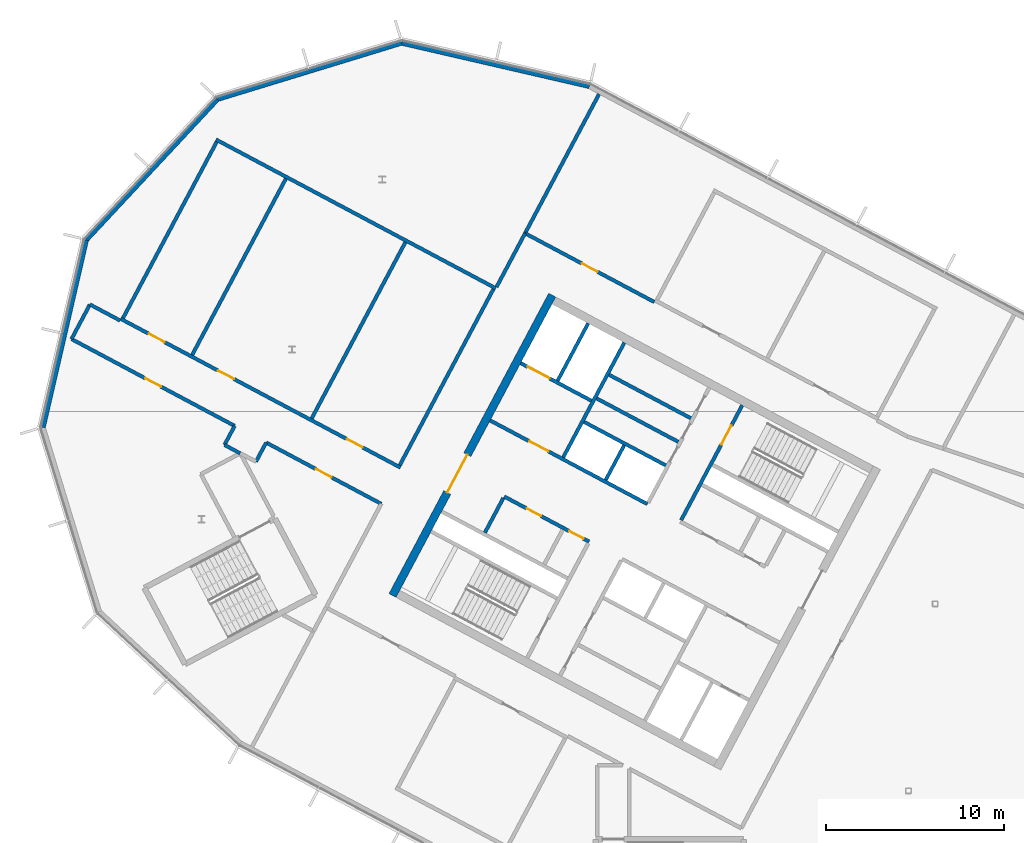
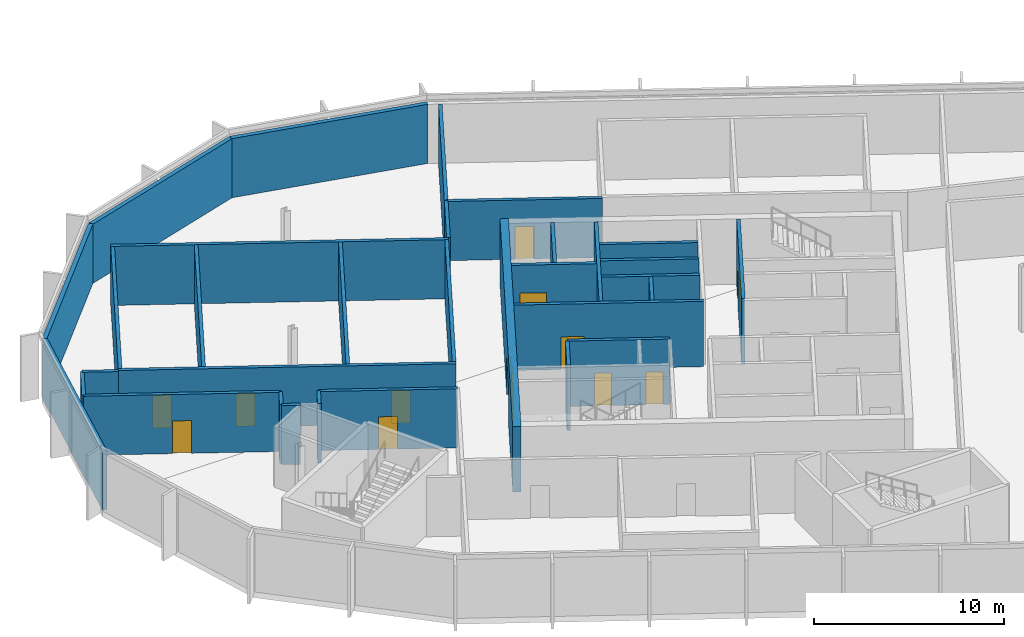
# One storey, part 6 of 16: 32 walls, 12 doors, 12 openings.
"""IFC4 building model written with IfcOpenShell, lengths in metres."""

from ifc_helpers import new_model, si_unit, direction, frame, frame_2d, origin, place, context, subcontext, project, spatial, rectangle, extrude, material, layer, layer_set, type_object, element, fill, save


model = new_model("IFC4")

# Units and contexts
model_context = context("Model", 3, precision=1e-05, world=origin(), true_north=direction((0.0, 1.0)))
body_context = subcontext(model_context, "Body", "Model", "MODEL_VIEW")
ifc_project = project(units=[si_unit("LENGTHUNIT", "METRE"), si_unit("AREAUNIT", "SQUARE_METRE"), si_unit("VOLUMEUNIT", "CUBIC_METRE"), si_unit("PLANEANGLEUNIT", "RADIAN"), si_unit("MASSUNIT", "GRAM", prefix="KILO")], contexts=[model_context])

# Site, building, storey
site_placement = place(None, origin())
site = spatial("IfcSite", under=ifc_project, at=site_placement, CompositionType="ELEMENT")
building_placement = place(site_placement, origin())
building = spatial("IfcBuilding", under=site, at=building_placement, Name="Cormorant Relay Tower", CompositionType="ELEMENT")
storey_placement = place(building_placement, frame((0.0, 0.0, 328.199951171875)))
storey = spatial("IfcBuildingStorey", under=building, at=storey_placement, Name="C1", CompositionType="ELEMENT", Elevation=328.199951171875)

# Walls
ifc_material_1 = material(Name="Concrete 40 MPa", Category="concrete")
ifc_layer_1 = layer(ifc_material_1, 0.199951171875)
ifc_layer_set_1 = layer_set([ifc_layer_1], Name="Core internal wall 200")
wall_type_1 = type_object("IfcWallType", Name="Core internal wall 200", PredefinedType="SOLIDWALL", material=ifc_layer_set_1)
wall_1_placement = place(storey_placement, frame((-27.9658203125, 19.39990234375, 0.0), z_axis=(0.0, 0.0, 1.0), x_axis=(-0.4694473164, -0.882960484464, 0.0)))
element("IfcWall", 1, at=wall_1_placement, inside=storey, type_object=wall_type_1, Name="C1 core A shaft and room wall", PredefinedType="SOLIDWALL", context=body_context, shape_type="SweptSolid", body=[
    extrude(rectangle(XDim=2.199951171875, YDim=0.199951171875, at=frame_2d((1.10009765625, 0.0))), origin(), (0.0, 0.0, 1.0), 4.199951171875),
])
wall_2_placement = place(storey_placement, frame((-24.214599609375, 20.91650390625, 0.0), z_axis=(0.0, 0.0, 1.0), x_axis=(-0.882964314875, 0.469440111896, 0.0)))
element("IfcWall", 2, at=wall_2_placement, inside=storey, type_object=wall_type_1, Name="C1 core A shaft and room wall", PredefinedType="SOLIDWALL", context=body_context, shape_type="SweptSolid", body=[
    extrude(rectangle(XDim=5.2001953125, YDim=0.199951171875, at=frame_2d((2.60009765625, 0.0))), origin(), (0.0, 0.0, 1.0), 4.199951171875),
])
wall_3_placement = place(storey_placement, frame((-24.9189453125, 19.592041015625, 0.0), z_axis=(0.0, 0.0, 1.0), x_axis=(-0.882953967957, 0.469459572775, 0.0)))
element("IfcWall", 3, at=wall_3_placement, inside=storey, type_object=wall_type_1, Name="C1 core A shaft and room wall", PredefinedType="SOLIDWALL", context=body_context, shape_type="SweptSolid", body=[
    extrude(rectangle(XDim=5.199951171875, YDim=0.199951171875, at=frame_2d((2.60009765625, 0.0))), origin(), (0.0, 0.0, 1.0), 4.199951171875),
])

# Wall, opening, door
ifc_material_2 = material(Name="Concrete 50 MPa", Category="concrete")
ifc_layer_2 = layer(ifc_material_2, 0.199951171875)
ifc_layer_set_2 = layer_set([ifc_layer_2], Name="Core shaft wall 200")
wall_type_2 = type_object("IfcWallType", Name="Core shaft wall 200", PredefinedType="SHEAR", material=ifc_layer_set_2)
wall_4_placement = place(storey_placement, frame((-21.333251953125, 21.6494140625, 0.0), z_axis=(0.0, 0.0, 1.0), x_axis=(-0.469494272526, -0.882935517501, 0.0)))
wall_4 = element("IfcWall", 4, at=wall_4_placement, inside=storey, type_object=wall_type_2, Name="C1 core A shaft wall", PredefinedType="SHEAR", context=body_context, shape_type="SweptSolid", body=[
    extrude(rectangle(XDim=7.2998046875, YDim=0.199951171875, at=frame_2d((3.64990234375, 0.0))), origin(), (0.0, 0.0, 1.0), 4.199951171875),
])
opening_1_placement = place(wall_4_placement, frame((1.300048828125, 0.0, 0.0)))
opening_1 = element("IfcOpeningElement", 5, at=opening_1_placement, cuts=wall_4, Name="Opening CDB-044", PredefinedType="OPENING", context=body_context, shape_type="SweptSolid", body=[
    extrude(rectangle(XDim=1.199951171875, YDim=2.10009765625, at=frame_2d((0.60009765625, 1.050048828125))), frame((0.0, 0.10986328125, 0.0), z_axis=(0.0, -1.0, 0.0), x_axis=(1.0, 0.0, 0.0)), (0.0, 0.0, 1.0), 0.219970703125),
])
ifc_material_3 = material(Name="Steel fire door", Category="steel")
door_type_1 = type_object("IfcDoorType", Name="Core stair door 1200x2100", OperationType="SINGLE_SWING_LEFT", PredefinedType="DOOR", material=ifc_material_3)
door_1_placement = place(opening_1_placement, origin())
door_1 = element("IfcDoor", 6, at=door_1_placement, inside=storey, type_object=door_type_1, Name="Core stair door 1200x2100", OperationType="SINGLE_SWING_RIGHT", OverallHeight=2.10009765625, OverallWidth=1.199951171875, PredefinedType="DOOR", context=body_context, shape_type="SweptSolid", body=[
    extrude(rectangle(XDim=1.199951171875, YDim=2.10009765625, at=frame_2d((0.60009765625, 1.050048828125))), frame((0.0, 0.02490234375, 0.0), z_axis=(0.0, -1.0, 0.0), x_axis=(1.0, 0.0, 0.0)), (0.0, 0.0, 1.0), 0.050048828125),
])
fill(opening_1, door_1)

# Walls
wall_5_placement = place(storey_placement, frame((-27.955322265625, 25.170654296875, 0.0), z_axis=(0.0, 0.0, 1.0), x_axis=(-0.469480409012, -0.88294288918, 0.0)))
element("IfcWall", 7, at=wall_5_placement, inside=storey, type_object=wall_type_2, Name="C1 core A shaft wall", PredefinedType="SHEAR", context=body_context, shape_type="SweptSolid", body=[
    extrude(rectangle(XDim=7.300048828125, YDim=0.199951171875, at=frame_2d((3.64990234375, 0.0))), origin(), (0.0, 0.0, 1.0), 4.199951171875),
])
wall_6_placement = place(storey_placement, frame((-34.750244140625, 16.4384765625, 0.0), z_axis=(0.0, 0.0, 1.0), x_axis=(-0.469401318492, -0.882984938828, 0.0)))
element("IfcWall", 8, at=wall_6_placement, inside=storey, type_object=wall_type_2, Name="C1 core A shaft wall", PredefinedType="SHEAR", context=body_context, shape_type="SweptSolid", body=[
    extrude(rectangle(XDim=2.199951171875, YDim=0.199951171875, at=frame_2d((1.10009765625, 0.0))), origin(), (0.0, 0.0, 1.0), 4.199951171875),
])
wall_7_placement = place(storey_placement, frame((-29.986083984375, 26.250244140625, 0.0), z_axis=(0.0, 0.0, 1.0), x_axis=(-0.469494272526, -0.882935517501, 0.0)))
element("IfcWall", 9, at=wall_7_placement, inside=storey, type_object=wall_type_2, Name="C1 core A shaft wall", PredefinedType="SHEAR", context=body_context, shape_type="SweptSolid", body=[
    extrude(rectangle(XDim=3.64990234375, YDim=0.199951171875, at=frame_2d((1.824951171875, 0.0))), origin(), (0.0, 0.0, 1.0), 4.199951171875),
])

# Wall, opening, door
wall_8_placement = place(storey_placement, frame((-29.80419921875, 21.906494140625, 0.0), z_axis=(0.0, 0.0, 1.0), x_axis=(-0.882960433586, 0.469447412093, 0.0)))
wall_8 = element("IfcWall", 10, at=wall_8_placement, inside=storey, type_object=wall_type_2, Name="C1 core A shaft wall", PredefinedType="SHEAR", context=body_context, shape_type="SweptSolid", body=[
    extrude(rectangle(XDim=4.5, YDim=0.199951171875, at=frame_2d((2.25, 0.0))), origin(), (0.0, 0.0, 1.0), 4.199951171875),
])
opening_2_placement = place(wall_8_placement, frame((2.64990234375, 0.0, 0.0)))
opening_2 = element("IfcOpeningElement", 11, at=opening_2_placement, cuts=wall_8, Name="Opening LD3-017", PredefinedType="OPENING", context=body_context, shape_type="SweptSolid", body=[
    extrude(rectangle(XDim=1.39990234375, YDim=2.39990234375, at=frame_2d((0.699951171875, 1.199951171875))), frame((0.0, 0.10986328125, 0.0), z_axis=(0.0, -1.0, 0.0), x_axis=(1.0, 0.0, 0.0)), (0.0, 0.0, 1.0), 0.219970703125),
])
ifc_material_4 = material(Name="Stainless steel 316", Category="steel")
door_type_2 = type_object("IfcDoorType", Name="Lift landing door 1400x2400", OperationType="DOUBLE_DOOR_SLIDING", PredefinedType="DOOR", material=ifc_material_4)
door_2_placement = place(opening_2_placement, origin())
door_2 = element("IfcDoor", 12, at=door_2_placement, inside=storey, type_object=door_type_2, Name="SV1 landing door", OperationType="DOUBLE_DOOR_SLIDING", OverallHeight=2.39990234375, OverallWidth=1.39990234375, PredefinedType="DOOR", context=body_context, shape_type="SweptSolid", body=[
    extrude(rectangle(XDim=1.39990234375, YDim=2.39990234375, at=frame_2d((0.699951171875, 1.199951171875))), frame((0.0, 0.02490234375, 0.0), z_axis=(0.0, -1.0, 0.0), x_axis=(1.0, 0.0, 0.0)), (0.0, 0.0, 1.0), 0.050048828125),
])
fill(opening_2, door_2)

# Wall
wall_9_placement = place(storey_placement, frame((-25.623046875, 18.267578125, 0.0), z_axis=(0.0, 0.0, 1.0), x_axis=(-0.882953967957, 0.469459572775, 0.0)))
element("IfcWall", 13, at=wall_9_placement, inside=storey, type_object=wall_type_2, Name="C1 core A shaft wall", PredefinedType="SHEAR", context=body_context, shape_type="SweptSolid", body=[
    extrude(rectangle(XDim=5.199951171875, YDim=0.199951171875, at=frame_2d((2.60009765625, 0.0))), origin(), (0.0, 0.0, 1.0), 4.199951171875),
])

# Wall, opening, door
wall_10_placement = place(storey_placement, frame((-26.66162109375, 16.1015625, 0.0), z_axis=(0.0, 0.0, 1.0), x_axis=(-0.882940221191, 0.469485426614, 0.0)))
wall_10 = element("IfcWall", 14, at=wall_10_placement, inside=storey, type_object=wall_type_2, Name="C1 core A shaft wall", PredefinedType="SHEAR", context=body_context, shape_type="SweptSolid", body=[
    extrude(rectangle(XDim=10.0, YDim=0.199951171875, at=frame_2d((5.0, 0.0))), origin(), (0.0, 0.0, 1.0), 4.199951171875),
])
opening_3_placement = place(wall_10_placement, frame((6.300048828125, 0.0, 0.0)))
opening_3 = element("IfcOpeningElement", 15, at=opening_3_placement, cuts=wall_10, Name="Opening CDC-041", PredefinedType="OPENING", context=body_context, shape_type="SweptSolid", body=[
    extrude(rectangle(XDim=1.199951171875, YDim=2.10009765625, at=frame_2d((0.60009765625, 1.050048828125))), frame((0.0, 0.10986328125, 0.0), z_axis=(0.0, -1.0, 0.0), x_axis=(1.0, 0.0, 0.0)), (0.0, 0.0, 1.0), 0.219970703125),
])
ifc_material_5 = material(Name="Steel fire door", Category="steel")
door_type_3 = type_object("IfcDoorType", Name="Core lobby door 1200x2100", OperationType="SINGLE_SWING_LEFT", PredefinedType="DOOR", material=ifc_material_5)
door_3_placement = place(opening_3_placement, origin())
door_3 = element("IfcDoor", 16, at=door_3_placement, inside=storey, type_object=door_type_3, Name="Core lobby door 1200x2100", OperationType="SINGLE_SWING_LEFT", OverallHeight=2.10009765625, OverallWidth=1.199951171875, PredefinedType="DOOR", context=body_context, shape_type="SweptSolid", body=[
    extrude(rectangle(XDim=1.199951171875, YDim=2.10009765625, at=frame_2d((0.60009765625, 1.050048828125))), frame((0.0, 0.02490234375, 0.0), z_axis=(0.0, -1.0, 0.0), x_axis=(1.0, 0.0, 0.0)), (0.0, 0.0, 1.0), 0.050048828125),
])
fill(opening_3, door_3)

# Wall, openings, doors
wall_11_placement = place(storey_placement, frame((-29.935302734375, 13.991455078125, 0.0), z_axis=(0.0, 0.0, 1.0), x_axis=(-0.882952937579, 0.469461510692, 0.0)))
wall_11 = element("IfcWall", 17, at=wall_11_placement, inside=storey, type_object=wall_type_2, Name="C1 core A shaft wall", PredefinedType="SHEAR", context=body_context, shape_type="SweptSolid", body=[
    extrude(rectangle(XDim=5.400146484375, YDim=0.199951171875, at=frame_2d((2.7001953125, 0.0))), origin(), (0.0, 0.0, 1.0), 4.199951171875),
])
opening_4_placement = place(wall_11_placement, frame((0.360107421875, 0.0, 0.0)))
opening_4 = element("IfcOpeningElement", 18, at=opening_4_placement, cuts=wall_11, Name="Opening CDD-354", PredefinedType="OPENING", context=body_context, shape_type="SweptSolid", body=[
    extrude(rectangle(XDim=0.89990234375, YDim=2.10009765625, at=frame_2d((0.449951171875, 1.050048828125))), frame((0.0, 0.10986328125, 0.0), z_axis=(0.0, -1.0, 0.0), x_axis=(1.0, 0.0, 0.0)), (0.0, 0.0, 1.0), 0.219970703125),
])
opening_5_placement = place(wall_11_placement, frame((3.06005859375, 0.0, 0.0)))
opening_5 = element("IfcOpeningElement", 19, at=opening_5_placement, cuts=wall_11, Name="Opening CDD-355", PredefinedType="OPENING", context=body_context, shape_type="SweptSolid", body=[
    extrude(rectangle(XDim=0.89990234375, YDim=2.10009765625, at=frame_2d((0.449951171875, 1.050048828125))), frame((0.0, 0.10986328125, 0.0), z_axis=(0.0, -1.0, 0.0), x_axis=(1.0, 0.0, 0.0)), (0.0, 0.0, 1.0), 0.219970703125),
])
ifc_material_6 = material(Name="Steel fire door", Category="steel")
door_type_4 = type_object("IfcDoorType", Name="Core room door 900x2100", OperationType="SINGLE_SWING_LEFT", PredefinedType="DOOR", material=ifc_material_6)
door_4_placement = place(opening_4_placement, origin())
door_4 = element("IfcDoor", 20, at=door_4_placement, inside=storey, type_object=door_type_4, Name="Core room door 900x2100", OperationType="SINGLE_SWING_LEFT", OverallHeight=2.10009765625, OverallWidth=0.89990234375, PredefinedType="DOOR", context=body_context, shape_type="SweptSolid", body=[
    extrude(rectangle(XDim=0.89990234375, YDim=2.10009765625, at=frame_2d((0.449951171875, 1.050048828125))), frame((0.0, 0.02490234375, 0.0), z_axis=(0.0, -1.0, 0.0), x_axis=(1.0, 0.0, 0.0)), (0.0, 0.0, 1.0), 0.050048828125),
])
fill(opening_4, door_4)
door_5_placement = place(opening_5_placement, frame((0.89990234375, 0.0, 0.0), z_axis=(0.0, 0.0, 1.0), x_axis=(-1.0, 0.0, 0.0)))
door_5 = element("IfcDoor", 21, at=door_5_placement, inside=storey, type_object=door_type_4, Name="Core room door 900x2100", OperationType="SINGLE_SWING_RIGHT", OverallHeight=2.10009765625, OverallWidth=0.89990234375, PredefinedType="DOOR", context=body_context, shape_type="SweptSolid", body=[
    extrude(rectangle(XDim=0.89990234375, YDim=2.10009765625, at=frame_2d((0.449951171875, 1.050048828125))), frame((0.0, 0.02490234375, 0.0), z_axis=(0.0, -1.0, 0.0), x_axis=(1.0, 0.0, 0.0)), (0.0, 0.0, 1.0), 0.050048828125),
])
fill(opening_5, door_5)

# Wall, opening, door
ifc_material_7 = material(Name="Concrete 50 MPa", Category="concrete")
ifc_layer_3 = layer(ifc_material_7, 0.449951171875)
ifc_layer_set_3 = layer_set([ifc_layer_3], Name="Core wall 450")
wall_type_3 = type_object("IfcWallType", Name="Core wall 450", PredefinedType="SHEAR", material=ifc_layer_set_3)
wall_12_placement = place(storey_placement, frame((-32.00439453125, 27.8330078125, 0.0), z_axis=(0.0, 0.0, 1.0), x_axis=(-0.469467968382, -0.882949504028, 0.0)))
wall_12 = element("IfcWall", 22, at=wall_12_placement, inside=storey, type_object=wall_type_3, Name="C1 core A wall", PredefinedType="SHEAR", context=body_context, shape_type="SweptSolid", body=[
    extrude(rectangle(XDim=19.099853515625, YDim=0.449951171875, at=frame_2d((9.5498046875, 0.0))), origin(), (0.0, 0.0, 1.0), 4.199951171875),
])
opening_6_placement = place(wall_12_placement, frame((10.14990234375, 0.0, 0.0)))
opening_6 = element("IfcOpeningElement", 23, at=opening_6_placement, cuts=wall_12, Name="Opening CDA-059", PredefinedType="OPENING", context=body_context, shape_type="SweptSolid", body=[
    extrude(rectangle(XDim=2.39990234375, YDim=2.39990234375, at=frame_2d((1.199951171875, 1.199951171875))), frame((0.0, 0.23486328125, 0.0), z_axis=(0.0, -1.0, 0.0), x_axis=(1.0, 0.0, 0.0)), (0.0, 0.0, 1.0), 0.469970703125),
])
ifc_material_8 = material(Name="Steel fire door", Category="steel")
door_type_5 = type_object("IfcDoorType", Name="Core lobby door 2400x2400", OperationType="DOUBLE_DOOR_SINGLE_SWING", PredefinedType="DOOR", material=ifc_material_8)
door_6_placement = place(opening_6_placement, origin())
door_6 = element("IfcDoor", 24, at=door_6_placement, inside=storey, type_object=door_type_5, Name="Core lobby door 2400x2400", OperationType="DOUBLE_DOOR_SINGLE_SWING", OverallHeight=2.39990234375, OverallWidth=2.39990234375, PredefinedType="DOOR", context=body_context, shape_type="SweptSolid", body=[
    extrude(rectangle(XDim=2.39990234375, YDim=2.39990234375, at=frame_2d((1.199951171875, 1.199951171875))), frame((0.0, 0.02490234375, 0.0), z_axis=(0.0, -1.0, 0.0), x_axis=(1.0, 0.0, 0.0)), (0.0, 0.0, 1.0), 0.050048828125),
])
fill(opening_6, door_6)

# Wall
ifc_material_9 = material(Name="Concrete 30 MPa block wall", Category="concrete")
ifc_layer_4 = layer(ifc_material_9, 0.199951171875)
ifc_layer_set_4 = layer_set([ifc_layer_4], Name="Crown plant room wall 200")
wall_type_4 = type_object("IfcWallType", Name="Crown plant room wall 200", PredefinedType="PARTITIONING", material=ifc_layer_set_4)
wall_13_placement = place(storey_placement, frame((-35.1708984375, 28.21435546875, 0.0), z_axis=(0.0, 0.0, 1.0), x_axis=(-0.882952110828, 0.469463065622, 0.0)))
element("IfcWall", 25, at=wall_13_placement, inside=storey, type_object=wall_type_4, Name="Plant room wall", PredefinedType="PARTITIONING", context=body_context, shape_type="SweptSolid", body=[
    extrude(rectangle(XDim=17.800048828125, YDim=0.199951171875, at=frame_2d((8.89990234375, 0.0))), origin(), (0.0, 0.0, 1.0), 3.7998046875),
])

# Wall, openings, doors
wall_14_placement = place(storey_placement, frame((-40.52294921875, 18.148681640625, 0.0), z_axis=(0.0, 0.0, 1.0), x_axis=(-0.882946425434, 0.469473758387, 0.0)))
wall_14 = element("IfcWall", 26, at=wall_14_placement, inside=storey, type_object=wall_type_4, Name="Plant room wall", PredefinedType="PARTITIONING", context=body_context, shape_type="SweptSolid", body=[
    extrude(rectangle(XDim=17.800048828125, YDim=0.199951171875, at=frame_2d((8.89990234375, 0.0))), origin(), (0.0, 0.0, 1.0), 3.7998046875),
])
opening_7_placement = place(wall_14_placement, frame((2.39990234375, 0.0, 0.0)))
opening_7 = element("IfcOpeningElement", 27, at=opening_7_placement, cuts=wall_14, Name="Opening CRD1-003", PredefinedType="OPENING", context=body_context, shape_type="SweptSolid", body=[
    extrude(rectangle(XDim=1.0, YDim=2.10009765625, at=frame_2d((0.5, 1.050048828125))), frame((0.0, 0.10986328125, 0.0), z_axis=(0.0, -1.0, 0.0), x_axis=(1.0, 0.0, 0.0)), (0.0, 0.0, 1.0), 0.219970703125),
])
opening_8_placement = place(wall_14_placement, frame((10.60009765625, 0.0, 0.0)))
opening_8 = element("IfcOpeningElement", 28, at=opening_8_placement, cuts=wall_14, Name="Opening CRD1-004", PredefinedType="OPENING", context=body_context, shape_type="SweptSolid", body=[
    extrude(rectangle(XDim=1.0, YDim=2.10009765625, at=frame_2d((0.5, 1.050048828125))), frame((0.0, 0.10986328125, 0.0), z_axis=(0.0, -1.0, 0.0), x_axis=(1.0, 0.0, 0.0)), (0.0, 0.0, 1.0), 0.219970703125),
])
opening_9_placement = place(wall_14_placement, frame((15.0, 0.0, 0.0)))
opening_9 = element("IfcOpeningElement", 29, at=opening_9_placement, cuts=wall_14, Name="Opening CRD1-005", PredefinedType="OPENING", context=body_context, shape_type="SweptSolid", body=[
    extrude(rectangle(XDim=1.0, YDim=2.10009765625, at=frame_2d((0.5, 1.050048828125))), frame((0.0, 0.10986328125, 0.0), z_axis=(0.0, -1.0, 0.0), x_axis=(1.0, 0.0, 0.0)), (0.0, 0.0, 1.0), 0.219970703125),
])
ifc_material_10 = material(Name="Galvanised sheet steel ASTM A653 framed door leaf", Category="steel")
door_type_6 = type_object("IfcDoorType", Name="Crown door single 1000", OperationType="SINGLE_SWING_LEFT", PredefinedType="DOOR", material=ifc_material_10)
door_7_placement = place(opening_7_placement, frame((1.0, 0.0, 0.0), z_axis=(0.0, 0.0, 1.0), x_axis=(-1.0, 0.0, 0.0)))
door_7 = element("IfcDoor", 30, at=door_7_placement, inside=storey, type_object=door_type_6, Name="Telecom equipment room door", OperationType="SINGLE_SWING_RIGHT", OverallHeight=2.10009765625, OverallWidth=1.0, PredefinedType="DOOR", context=body_context, shape_type="SweptSolid", body=[
    extrude(rectangle(XDim=1.0, YDim=2.10009765625, at=frame_2d((0.5, 1.050048828125))), frame((0.0, 0.02490234375, 0.0), z_axis=(0.0, -1.0, 0.0), x_axis=(1.0, 0.0, 0.0)), (0.0, 0.0, 1.0), 0.050048828125),
])
fill(opening_7, door_7)
door_8_placement = place(opening_8_placement, frame((1.0, 0.0, 0.0), z_axis=(0.0, 0.0, 1.0), x_axis=(-1.0, 0.0, 0.0)))
door_8 = element("IfcDoor", 31, at=door_8_placement, inside=storey, type_object=door_type_6, Name="Carrier equipment room door", OperationType="SINGLE_SWING_RIGHT", OverallHeight=2.10009765625, OverallWidth=1.0, PredefinedType="DOOR", context=body_context, shape_type="SweptSolid", body=[
    extrude(rectangle(XDim=1.0, YDim=2.10009765625, at=frame_2d((0.5, 1.050048828125))), frame((0.0, 0.02490234375, 0.0), z_axis=(0.0, -1.0, 0.0), x_axis=(1.0, 0.0, 0.0)), (0.0, 0.0, 1.0), 0.050048828125),
])
fill(opening_8, door_8)
door_9_placement = place(opening_9_placement, frame((1.0, 0.0, 0.0), z_axis=(0.0, 0.0, 1.0), x_axis=(-1.0, 0.0, 0.0)))
door_9 = element("IfcDoor", 32, at=door_9_placement, inside=storey, type_object=door_type_6, Name="Switchgear room door", OperationType="SINGLE_SWING_RIGHT", OverallHeight=2.10009765625, OverallWidth=1.0, PredefinedType="DOOR", context=body_context, shape_type="SweptSolid", body=[
    extrude(rectangle(XDim=1.0, YDim=2.10009765625, at=frame_2d((0.5, 1.050048828125))), frame((0.0, 0.02490234375, 0.0), z_axis=(0.0, -1.0, 0.0), x_axis=(1.0, 0.0, 0.0)), (0.0, 0.0, 1.0), 0.050048828125),
])
fill(opening_9, door_9)

# Walls
for number, where, z_axis, x_axis, name in (
    (33, (-35.306396484375, 28.173095703125, 0.0), (0.0, 0.0, 1.0), (-0.469447393298, -0.882960443579, 0.0), "Plant room wall"),
    (34, (-40.250732421875, 30.802001953125, 0.0), (0.0, 0.0, 1.0), (-0.469473423128, -0.882946603695, 0.0), "Plant room wall"),
):
    element("IfcWall", number, at=place(storey_placement, frame(where, z_axis=z_axis, x_axis=x_axis)), inside=storey, type_object=wall_type_4, Name=name, PredefinedType="PARTITIONING", context=body_context, shape_type="SweptSolid", body=[
        extrude(rectangle(XDim=11.199951171875, YDim=0.199951171875, at=frame_2d((5.60009765625, 0.0))), origin(), (0.0, 0.0, 1.0), 3.7998046875),
    ])
for number, where, z_axis, x_axis, name in (
    (35, (-46.961181640625, 34.3701171875, 0.0), (0.0, 0.0, 1.0), (-0.46946438738, -0.882951408052, 0.0), "Plant room wall"),
    (36, (-50.84619140625, 36.435791015625, 0.0), (0.0, 0.0, 1.0), (-0.46946438738, -0.882951408052, 0.0), "Plant room wall"),
):
    element("IfcWall", number, at=place(storey_placement, frame(where, z_axis=z_axis, x_axis=x_axis)), inside=storey, type_object=wall_type_4, Name=name, PredefinedType="PARTITIONING", context=body_context, shape_type="SweptSolid", body=[
        extrude(rectangle(XDim=11.2001953125, YDim=0.199951171875, at=frame_2d((5.60009765625, 0.0))), origin(), (0.0, 0.0, 1.0), 3.7998046875),
    ])
wall_15_placement = place(storey_placement, frame((-57.964111328125, 27.30908203125, 0.0), z_axis=(0.0, 0.0, 1.0), x_axis=(0.882957622595, -0.46945269911, 0.0)))
element("IfcWall", 37, at=wall_15_placement, inside=storey, type_object=wall_type_4, Name="Plant room wall", PredefinedType="PARTITIONING", context=body_context, shape_type="SweptSolid", body=[
    extrude(rectangle(XDim=1.919921875, YDim=0.199951171875, at=frame_2d((0.9599609375, 0.0))), origin(), (0.0, 0.0, 1.0), 3.7998046875),
])
wall_16_placement = place(storey_placement, frame((-35.13330078125, 28.284912109375, 0.0), z_axis=(0.0, 0.0, 1.0), x_axis=(0.469431829014, 0.882968718533, 0.0)))
element("IfcWall", 38, at=wall_16_placement, inside=storey, type_object=wall_type_4, Name="Plant room wall", PredefinedType="PARTITIONING", context=body_context, shape_type="SweptSolid", body=[
    extrude(rectangle(XDim=3.419921875, YDim=0.199951171875, at=frame_2d((1.7099609375, 0.0))), origin(), (0.0, 0.0, 1.0), 3.7998046875),
])
wall_17_placement = place(storey_placement, frame((-49.529296875, 18.9501953125, 0.0), z_axis=(0.0, 0.0, 1.0), x_axis=(-0.880014039158, 0.474947671733, 0.0)))
element("IfcWall", 39, at=wall_17_placement, inside=storey, type_object=wall_type_4, Name="Plant room wall", PredefinedType="PARTITIONING", context=body_context, shape_type="SweptSolid", body=[
    extrude(rectangle(XDim=0.99560546875, YDim=0.199951171875, at=frame_2d((0.497802734375, 0.0))), origin(), (0.0, 0.0, 1.0), 3.7998046875),
])
wall_18_placement = place(storey_placement, frame((-50.405517578125, 19.423095703125, 0.0), z_axis=(0.0, 0.0, 1.0), x_axis=(0.469425611223, 0.882972024204, 0.0)))
element("IfcWall", 40, at=wall_18_placement, inside=storey, type_object=wall_type_4, Name="Plant room wall", PredefinedType="PARTITIONING", context=body_context, shape_type="SweptSolid", body=[
    extrude(rectangle(XDim=1.210205078125, YDim=0.199951171875, at=frame_2d((0.60498046875, 0.0))), origin(), (0.0, 0.0, 1.0), 3.7998046875),
])

# Wall, opening, door
wall_19_placement = place(storey_placement, frame((-49.83740234375, 20.49169921875, 0.0), z_axis=(0.0, 0.0, 1.0), x_axis=(-0.882753842136, 0.469835773643, 0.0)))
wall_19 = element("IfcWall", 41, at=wall_19_placement, inside=storey, type_object=wall_type_4, Name="Plant room wall", PredefinedType="PARTITIONING", context=body_context, shape_type="SweptSolid", body=[
    extrude(rectangle(XDim=10.3759765625, YDim=0.199951171875, at=frame_2d((5.18798828125, 0.0))), origin(), (0.0, 0.0, 1.0), 3.7998046875),
])
opening_10_placement = place(wall_19_placement, frame((4.68798828125, 0.0, 0.0)))
opening_10 = element("IfcOpeningElement", 42, at=opening_10_placement, cuts=wall_19, Name="Opening CRD1-007", PredefinedType="OPENING", context=body_context, shape_type="SweptSolid", body=[
    extrude(rectangle(XDim=1.0, YDim=2.10009765625, at=frame_2d((0.5, 1.050048828125))), frame((0.0, 0.10986328125, 0.0), z_axis=(0.0, -1.0, 0.0), x_axis=(1.0, 0.0, 0.0)), (0.0, 0.0, 1.0), 0.219970703125),
])
door_10_placement = place(opening_10_placement, origin())
door_10 = element("IfcDoor", 43, at=door_10_placement, inside=storey, type_object=door_type_6, Name="Telecom equipment hall door", OperationType="SINGLE_SWING_LEFT", OverallHeight=2.10009765625, OverallWidth=1.0, PredefinedType="DOOR", context=body_context, shape_type="SweptSolid", body=[
    extrude(rectangle(XDim=1.0, YDim=2.10009765625, at=frame_2d((0.5, 1.050048828125))), frame((0.0, 0.02490234375, 0.0), z_axis=(0.0, -1.0, 0.0), x_axis=(1.0, 0.0, 0.0)), (0.0, 0.0, 1.0), 0.050048828125),
])
fill(opening_10, door_10)

# Wall
wall_20_placement = place(storey_placement, frame((-58.996826171875, 25.36669921875, 0.0), z_axis=(0.0, 0.0, 1.0), x_axis=(0.4694473164, 0.882960484464, 0.0)))
element("IfcWall", 44, at=wall_20_placement, inside=storey, type_object=wall_type_4, Name="Plant room wall", PredefinedType="PARTITIONING", context=body_context, shape_type="SweptSolid", body=[
    extrude(rectangle(XDim=2.199951171875, YDim=0.199951171875, at=frame_2d((1.10009765625, 0.0))), origin(), (0.0, 0.0, 1.0), 3.7998046875),
])

# Wall, opening, door
wall_21_placement = place(storey_placement, frame((-41.604736328125, 16.114501953125, 0.0), z_axis=(0.0, 0.0, 1.0), x_axis=(-0.88269432005, 0.469947590006, 0.0)))
wall_21 = element("IfcWall", 45, at=wall_21_placement, inside=storey, type_object=wall_type_4, Name="Plant room wall", PredefinedType="PARTITIONING", context=body_context, shape_type="SweptSolid", body=[
    extrude(rectangle(XDim=7.31982421875, YDim=0.199951171875, at=frame_2d((3.659912109375, 0.0))), origin(), (0.0, 0.0, 1.0), 3.7998046875),
])
opening_11_placement = place(wall_21_placement, frame((3.159912109375, 0.0, 0.0)))
opening_11 = element("IfcOpeningElement", 46, at=opening_11_placement, cuts=wall_21, Name="Opening CRD1-008", PredefinedType="OPENING", context=body_context, shape_type="SweptSolid", body=[
    extrude(rectangle(XDim=1.0, YDim=2.10009765625, at=frame_2d((0.5, 1.050048828125))), frame((0.0, 0.10986328125, 0.0), z_axis=(0.0, -1.0, 0.0), x_axis=(1.0, 0.0, 0.0)), (0.0, 0.0, 1.0), 0.219970703125),
])
door_11_placement = place(opening_11_placement, origin())
door_11 = element("IfcDoor", 47, at=door_11_placement, inside=storey, type_object=door_type_6, Name="Carrier equipment room door", OperationType="SINGLE_SWING_LEFT", OverallHeight=2.10009765625, OverallWidth=1.0, PredefinedType="DOOR", context=body_context, shape_type="SweptSolid", body=[
    extrude(rectangle(XDim=1.0, YDim=2.10009765625, at=frame_2d((0.5, 1.050048828125))), frame((0.0, 0.02490234375, 0.0), z_axis=(0.0, -1.0, 0.0), x_axis=(1.0, 0.0, 0.0)), (0.0, 0.0, 1.0), 0.050048828125),
])
fill(opening_11, door_11)

# Wall
wall_22_placement = place(storey_placement, frame((-48.06591796875, 19.554443359375, 0.0), z_axis=(0.0, 0.0, 1.0), x_axis=(-0.472372077366, -0.881399240143, 0.0)))
element("IfcWall", 48, at=wall_22_placement, inside=storey, type_object=wall_type_4, Name="Plant room wall", PredefinedType="PARTITIONING", context=body_context, shape_type="SweptSolid", body=[
    extrude(rectangle(XDim=1.214111328125, YDim=0.199951171875, at=frame_2d((0.60693359375, 0.0))), origin(), (0.0, 0.0, 1.0), 3.7998046875),
])

# Wall, opening, door
wall_23_placement = place(storey_placement, frame((-33.52783203125, 31.3046875, 0.0), z_axis=(0.0, 0.0, 1.0), x_axis=(0.882943382095, -0.469479481996, 0.0)))
wall_23 = element("IfcWall", 49, at=wall_23_placement, inside=storey, type_object=wall_type_4, Name="Plant room wall", PredefinedType="PARTITIONING", context=body_context, shape_type="SweptSolid", body=[
    extrude(rectangle(XDim=8.219970703125, YDim=0.199951171875, at=frame_2d((4.10986328125, 0.0))), origin(), (0.0, 0.0, 1.0), 3.7998046875),
])
opening_12_placement = place(wall_23_placement, frame((3.610107421875, 0.0, 0.0)))
opening_12 = element("IfcOpeningElement", 50, at=opening_12_placement, cuts=wall_23, Name="Opening CRD1-010", PredefinedType="OPENING", context=body_context, shape_type="SweptSolid", body=[
    extrude(rectangle(XDim=1.0, YDim=2.10009765625, at=frame_2d((0.5, 1.050048828125))), frame((0.0, 0.10986328125, 0.0), z_axis=(0.0, -1.0, 0.0), x_axis=(1.0, 0.0, 0.0)), (0.0, 0.0, 1.0), 0.219970703125),
])
door_12_placement = place(opening_12_placement, origin())
door_12 = element("IfcDoor", 51, at=door_12_placement, inside=storey, type_object=door_type_6, Name="Network operations centre door", OperationType="SINGLE_SWING_RIGHT", OverallHeight=2.10009765625, OverallWidth=1.0, PredefinedType="DOOR", context=body_context, shape_type="SweptSolid", body=[
    extrude(rectangle(XDim=1.0, YDim=2.10009765625, at=frame_2d((0.5, 1.050048828125))), frame((0.0, 0.02490234375, 0.0), z_axis=(0.0, -1.0, 0.0), x_axis=(1.0, 0.0, 0.0)), (0.0, 0.0, 1.0), 0.050048828125),
])
fill(opening_12, door_12)

# Walls
wall_24_placement = place(storey_placement, frame((-29.3740234375, 39.119140625, 0.0), z_axis=(0.0, 0.0, 1.0), x_axis=(-0.469467804358, -0.88294959124, 0.0)))
element("IfcWall", 52, at=wall_24_placement, inside=storey, type_object=wall_type_4, Name="Plant room wall", PredefinedType="PARTITIONING", context=body_context, shape_type="SweptSolid", body=[
    extrude(rectangle(XDim=8.86962890625, YDim=0.199951171875, at=frame_2d((4.434814453125, 0.0))), origin(), (0.0, 0.0, 1.0), 3.7998046875),
])
ifc_material_11 = material(Name="Bronze cladding on Concrete 30 MPa block wall", Category="concrete")
ifc_layer_5 = layer(ifc_material_11, 0.25)
ifc_layer_set_5 = layer_set([ifc_layer_5], Name="Crown wall 250")
wall_type_5 = type_object("IfcWallType", Name="Crown wall 250", PredefinedType="STANDARD", material=ifc_layer_set_5)
for number, where, z_axis, x_axis, name in (
    (53, (-60.590576171875, 20.397705078125, 0.0), (0.0, 0.0, 1.0), (0.224943678254, 0.97437176766, 0.0), "Crown wall C1"),
    (54, (-58.160400390625, 30.92431640625, 0.0), (0.0, 0.0, 1.0), (0.681998532518, 0.731353540802, 0.0), "Crown wall C1"),
):
    element("IfcWall", number, at=place(storey_placement, frame(where, z_axis=z_axis, x_axis=x_axis)), inside=storey, type_object=wall_type_5, Name=name, PredefinedType="STANDARD", context=body_context, shape_type="SweptSolid", body=[
        extrude(rectangle(XDim=10.803466796875, YDim=0.25, at=frame_2d((5.40185546875, 0.0))), origin(), (0.0, 0.0, 1.0), 3.7998046875),
    ])
wall_25_placement = place(storey_placement, frame((-50.79248046875, 38.825439453125, 0.0), z_axis=(0.0, 0.0, 1.0), x_axis=(0.95630419349, 0.292373544482, 0.0)))
element("IfcWall", 55, at=wall_25_placement, inside=storey, type_object=wall_type_5, Name="Crown wall C1", PredefinedType="STANDARD", context=body_context, shape_type="SweptSolid", body=[
    extrude(rectangle(XDim=10.8037109375, YDim=0.25, at=frame_2d((5.40185546875, 0.0))), origin(), (0.0, 0.0, 1.0), 3.7998046875),
])
wall_26_placement = place(storey_placement, frame((-40.4609375, 41.984130859375, 0.0), z_axis=(0.0, 0.0, 1.0), x_axis=(0.974369134847, -0.224955082309, 0.0)))
element("IfcWall", 56, at=wall_26_placement, inside=storey, type_object=wall_type_5, Name="Crown wall C1", PredefinedType="STANDARD", context=body_context, shape_type="SweptSolid", body=[
    extrude(rectangle(XDim=10.8203125, YDim=0.25, at=frame_2d((5.41015625, 0.0))), origin(), (0.0, 0.0, 1.0), 3.7998046875),
])

save(model, "model.ifc")
